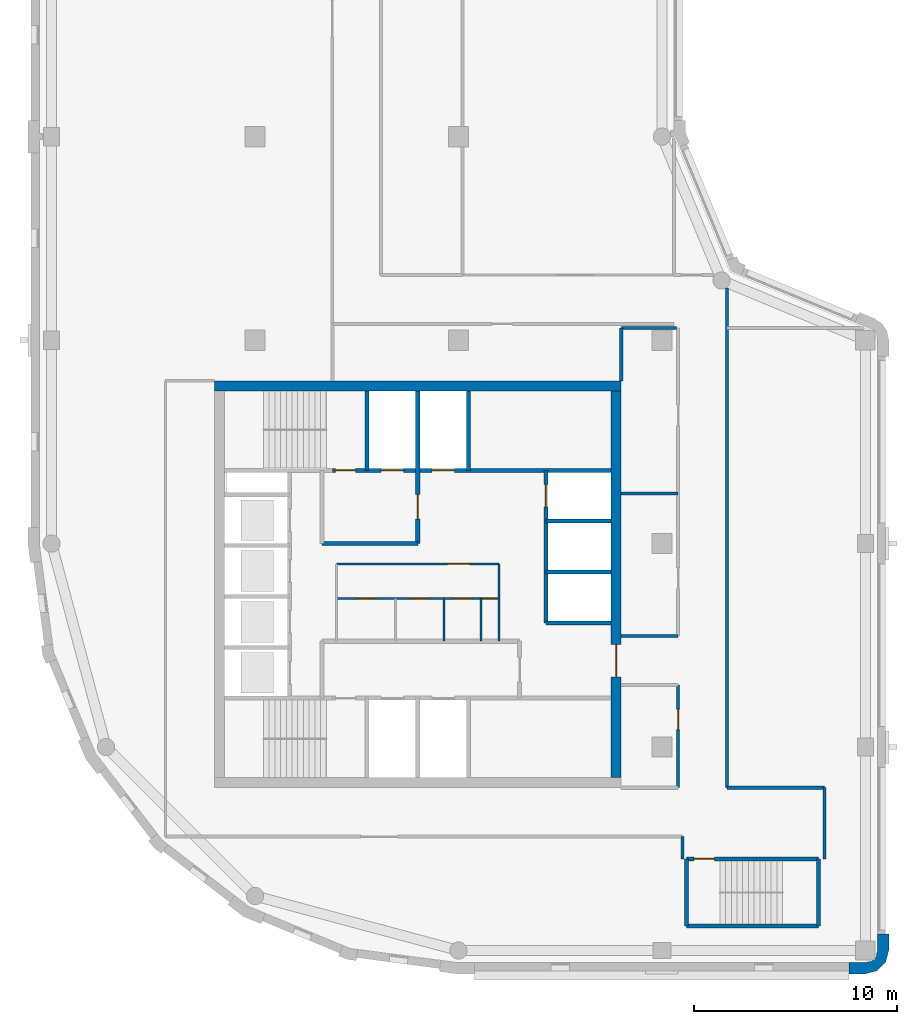
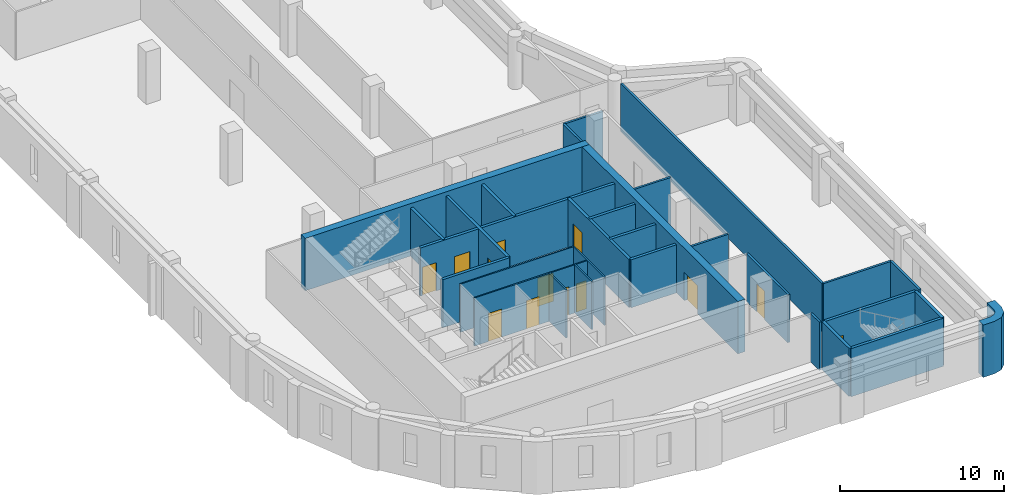
# One storey, part 3 of 8: 30 walls, 13 doors, 13 openings.
"""IFC4 building model written with IfcOpenShell, lengths in metres."""

from ifc_helpers import new_model, si_unit, direction, frame, frame_2d, origin, place, context, subcontext, project, spatial, polyline, rectangle, outline, extrude, material, layer, layer_set, type_object, element, fill, save


model = new_model("IFC4")

# Units and contexts
model_context = context("Model", 3, precision=1e-05, world=origin(), true_north=direction((0.0, 1.0)))
body_context = subcontext(model_context, "Body", "Model", "MODEL_VIEW")
ifc_project = project(units=[si_unit("LENGTHUNIT", "METRE"), si_unit("AREAUNIT", "SQUARE_METRE"), si_unit("VOLUMEUNIT", "CUBIC_METRE"), si_unit("PLANEANGLEUNIT", "RADIAN"), si_unit("MASSUNIT", "GRAM", prefix="KILO")], contexts=[model_context])

# Site, building, storey
site_placement = place(None, origin())
site = spatial("IfcSite", under=ifc_project, at=site_placement, CompositionType="ELEMENT")
building_placement = place(site_placement, origin())
building = spatial("IfcBuilding", under=site, at=building_placement, Name="Qaws Garden Tower", CompositionType="ELEMENT")
storey_placement = place(building_placement, frame((0.0, 0.0, 337.199951171875)))
storey = spatial("IfcBuildingStorey", under=building, at=storey_placement, Name="L82", CompositionType="ELEMENT", Elevation=337.199951171875)

# Wall
ifc_material_1 = material(Name="Clay facing brick masonry", Category="masonry")
ifc_layer_1 = layer(ifc_material_1, 0.550048828125)
ifc_layer_set_1 = layer_set([ifc_layer_1], Name="Clay facing brick masonry")
wall_type_1 = type_object("IfcWallType", Name="Brick corner pier 550 x 2400", PredefinedType="SOLIDWALL", material=ifc_layer_set_1)
wall_1_placement = place(storey_placement, origin())
element("IfcWall", 1, at=wall_1_placement, inside=storey, type_object=wall_type_1, Name="E-L82-pier-02", PredefinedType="SOLIDWALL", context=body_context, shape_type="SweptSolid", body=[
    extrude(outline(polyline([(39.199951171875, -1.0), (39.199951171875, -1.14990234375), (40.0, -1.14990234375), (40.574951171875, -0.995849609375), (40.995849609375, -0.574951171875), (41.14990234375, 0.0), (41.14990234375, 0.800048828125), (41.0, 0.800048828125), (40.60009765625, 0.800048828125), (40.60009765625, 0.0), (40.51953125, -0.300048828125), (40.300048828125, -0.51953125), (40.0, -0.60009765625), (39.199951171875, -0.60009765625), (39.199951171875, -1.0)])), origin(), (0.0, 0.0, 1.0), 3.900146484375),
])

# Wall, openings, doors
ifc_material_2 = material(Name="Plasterboard")
ifc_layer_2 = layer(ifc_material_2, 0.10009765625)
ifc_layer_set_2 = layer_set([ifc_layer_2], Name="Plasterboard")
wall_type_2 = type_object("IfcWallType", Name="Core partition 100", PredefinedType="PARTITIONING", material=ifc_layer_set_2)
wall_2_placement = place(storey_placement, frame((14.0, 17.300048828125, 0.0), z_axis=(0.0, 0.0, 1.0), x_axis=(1.0, 0.0, 0.0)))
wall_2 = element("IfcWall", 2, at=wall_2_placement, inside=storey, type_object=wall_type_2, Name="Core partition", PredefinedType="PARTITIONING", context=body_context, shape_type="SweptSolid", body=[
    extrude(rectangle(XDim=8.0, YDim=0.10009765625, at=frame_2d((4.0, 0.0))), origin(), (0.0, 0.0, 1.0), 3.580078125),
])
opening_1_placement = place(wall_2_placement, frame((1.0, 0.0, 0.0)))
opening_1 = element("IfcOpeningElement", 3, at=opening_1_placement, cuts=wall_2, Name="Opening WD18", PredefinedType="OPENING", context=body_context, shape_type="SweptSolid", body=[
    extrude(rectangle(XDim=0.89990234375, YDim=2.10009765625, at=frame_2d((0.449951171875, 1.050048828125))), frame((0.0, 0.06005859375, 0.0), z_axis=(0.0, -1.0, 0.0), x_axis=(1.0, 0.0, 0.0)), (0.0, 0.0, 1.0), 0.1201171875),
])
opening_2_placement = place(wall_2_placement, frame((3.64990234375, 0.0, 0.0)))
opening_2 = element("IfcOpeningElement", 4, at=opening_2_placement, cuts=wall_2, Name="Opening WD19", PredefinedType="OPENING", context=body_context, shape_type="SweptSolid", body=[
    extrude(rectangle(XDim=0.89990234375, YDim=2.10009765625, at=frame_2d((0.449951171875, 1.050048828125))), frame((0.0, 0.06005859375, 0.0), z_axis=(0.0, -1.0, 0.0), x_axis=(1.0, 0.0, 0.0)), (0.0, 0.0, 1.0), 0.1201171875),
])
opening_3_placement = place(wall_2_placement, frame((5.75, 0.0, 0.0)))
opening_3 = element("IfcOpeningElement", 5, at=opening_3_placement, cuts=wall_2, Name="Opening WD20", PredefinedType="OPENING", context=body_context, shape_type="SweptSolid", body=[
    extrude(rectangle(XDim=0.89990234375, YDim=2.10009765625, at=frame_2d((0.449951171875, 1.050048828125))), frame((0.0, 0.06005859375, 0.0), z_axis=(0.0, -1.0, 0.0), x_axis=(1.0, 0.0, 0.0)), (0.0, 0.0, 1.0), 0.1201171875),
])
opening_4_placement = place(wall_2_placement, frame((7.199951171875, 0.0, 0.0)))
opening_4 = element("IfcOpeningElement", 6, at=opening_4_placement, cuts=wall_2, Name="Opening XD21", PredefinedType="OPENING", context=body_context, shape_type="SweptSolid", body=[
    extrude(rectangle(XDim=0.699951171875, YDim=2.10009765625, at=frame_2d((0.35009765625, 1.050048828125))), frame((0.0, 0.06005859375, 0.0), z_axis=(0.0, -1.0, 0.0), x_axis=(1.0, 0.0, 0.0)), (0.0, 0.0, 1.0), 0.1201171875),
])
ifc_material_3 = material(Name="Timber", Category="wood")
door_type_1 = type_object("IfcDoorType", Name="Store door 700x2100", OperationType="SINGLE_SWING_LEFT", PredefinedType="DOOR", material=ifc_material_3)
door_1_placement = place(opening_4_placement, frame((0.699951171875, 0.0, 0.0), z_axis=(0.0, 0.0, 1.0), x_axis=(-1.0, 0.0, 0.0)))
door_1 = element("IfcDoor", 7, at=door_1_placement, inside=storey, type_object=door_type_1, Name="Cleaner's store door", OperationType="SINGLE_SWING_LEFT", OverallHeight=2.10009765625, OverallWidth=0.699951171875, PredefinedType="DOOR", context=body_context, shape_type="SweptSolid", body=[
    extrude(rectangle(XDim=0.699951171875, YDim=2.10009765625, at=frame_2d((0.35009765625, 1.050048828125))), frame((0.0, 0.02490234375, 0.0), z_axis=(0.0, -1.0, 0.0), x_axis=(1.0, 0.0, 0.0)), (0.0, 0.0, 1.0), 0.050048828125),
])
fill(opening_4, door_1)
ifc_material_4 = material(Name="Timber", Category="wood")
door_type_2 = type_object("IfcDoorType", Name="WC door 900x2100", OperationType="SINGLE_SWING_LEFT", PredefinedType="DOOR", material=ifc_material_4)
door_2_placement = place(opening_1_placement, frame((0.89990234375, 0.0, 0.0), z_axis=(0.0, 0.0, 1.0), x_axis=(-1.0, 0.0, 0.0)))
door_2 = element("IfcDoor", 8, at=door_2_placement, inside=storey, type_object=door_type_2, Name="Women's WC door", OperationType="SINGLE_SWING_LEFT", OverallHeight=2.10009765625, OverallWidth=0.89990234375, PredefinedType="DOOR", context=body_context, shape_type="SweptSolid", body=[
    extrude(rectangle(XDim=0.89990234375, YDim=2.10009765625, at=frame_2d((0.449951171875, 1.050048828125))), frame((0.0, 0.02490234375, 0.0), z_axis=(0.0, -1.0, 0.0), x_axis=(1.0, 0.0, 0.0)), (0.0, 0.0, 1.0), 0.050048828125),
])
fill(opening_1, door_2)
door_3_placement = place(opening_2_placement, frame((0.89990234375, 0.0, 0.0), z_axis=(0.0, 0.0, 1.0), x_axis=(-1.0, 0.0, 0.0)))
door_3 = element("IfcDoor", 9, at=door_3_placement, inside=storey, type_object=door_type_2, Name="Men's WC door", OperationType="SINGLE_SWING_LEFT", OverallHeight=2.10009765625, OverallWidth=0.89990234375, PredefinedType="DOOR", context=body_context, shape_type="SweptSolid", body=[
    extrude(rectangle(XDim=0.89990234375, YDim=2.10009765625, at=frame_2d((0.449951171875, 1.050048828125))), frame((0.0, 0.02490234375, 0.0), z_axis=(0.0, -1.0, 0.0), x_axis=(1.0, 0.0, 0.0)), (0.0, 0.0, 1.0), 0.050048828125),
])
fill(opening_2, door_3)
door_4_placement = place(opening_3_placement, frame((0.89990234375, 0.0, 0.0), z_axis=(0.0, 0.0, 1.0), x_axis=(-1.0, 0.0, 0.0)))
door_4 = element("IfcDoor", 10, at=door_4_placement, inside=storey, type_object=door_type_2, Name="Accessible WC door", OperationType="SINGLE_SWING_LEFT", OverallHeight=2.10009765625, OverallWidth=0.89990234375, PredefinedType="DOOR", context=body_context, shape_type="SweptSolid", body=[
    extrude(rectangle(XDim=0.89990234375, YDim=2.10009765625, at=frame_2d((0.449951171875, 1.050048828125))), frame((0.0, 0.02490234375, 0.0), z_axis=(0.0, -1.0, 0.0), x_axis=(1.0, 0.0, 0.0)), (0.0, 0.0, 1.0), 0.050048828125),
])
fill(opening_3, door_4)

# Wall, opening, door
wall_3_placement = place(storey_placement, frame((14.0, 19.0, 0.0), z_axis=(0.0, 0.0, 1.0), x_axis=(1.0, 0.0, 0.0)))
wall_3 = element("IfcWall", 11, at=wall_3_placement, inside=storey, type_object=wall_type_2, Name="Core partition", PredefinedType="PARTITIONING", context=body_context, shape_type="SweptSolid", body=[
    extrude(rectangle(XDim=8.0, YDim=0.10009765625, at=frame_2d((4.0, 0.0))), origin(), (0.0, 0.0, 1.0), 3.580078125),
])
opening_5_placement = place(wall_3_placement, frame((5.449951171875, 0.0, 0.0)))
opening_5 = element("IfcOpeningElement", 12, at=opening_5_placement, cuts=wall_3, Name="Opening WL17", PredefinedType="OPENING", context=body_context, shape_type="SweptSolid", body=[
    extrude(rectangle(XDim=1.10009765625, YDim=2.10009765625, at=frame_2d((0.550048828125, 1.050048828125))), frame((0.0, 0.06005859375, 0.0), z_axis=(0.0, -1.0, 0.0), x_axis=(1.0, 0.0, 0.0)), (0.0, 0.0, 1.0), 0.1201171875),
])
ifc_material_5 = material(Name="Timber", Category="wood")
door_type_3 = type_object("IfcDoorType", Name="WC lobby door 1100x2100", OperationType="SINGLE_SWING_LEFT", PredefinedType="DOOR", material=ifc_material_5)
door_5_placement = place(opening_5_placement, frame((1.10009765625, 0.0, 0.0), z_axis=(0.0, 0.0, 1.0), x_axis=(-1.0, 0.0, 0.0)))
door_5 = element("IfcDoor", 13, at=door_5_placement, inside=storey, type_object=door_type_3, Name="WC lobby door", OperationType="SINGLE_SWING_LEFT", OverallHeight=2.10009765625, OverallWidth=1.10009765625, PredefinedType="DOOR", context=body_context, shape_type="SweptSolid", body=[
    extrude(rectangle(XDim=1.10009765625, YDim=2.10009765625, at=frame_2d((0.550048828125, 1.050048828125))), frame((0.0, 0.02490234375, 0.0), z_axis=(0.0, -1.0, 0.0), x_axis=(1.0, 0.0, 0.0)), (0.0, 0.0, 1.0), 0.050048828125),
])
fill(opening_5, door_5)

# Walls
for number, where, z_axis, x_axis, name in (
    (14, (19.300048828125, 15.199951171875, 0.0), (0.0, 0.0, 1.0), (0.0, 1.0, 0.0), "Core partition"),
    (15, (21.10009765625, 15.199951171875, 0.0), (0.0, 0.0, 1.0), (0.0, 1.0, 0.0), "Core partition"),
):
    element("IfcWall", number, at=place(storey_placement, frame(where, z_axis=z_axis, x_axis=x_axis)), inside=storey, type_object=wall_type_2, Name=name, PredefinedType="PARTITIONING", context=body_context, shape_type="SweptSolid", body=[
        extrude(rectangle(XDim=2.10009765625, YDim=0.10009765625, at=frame_2d((1.050048828125, 0.0))), origin(), (0.0, 0.0, 1.0), 3.580078125),
    ])
wall_4_placement = place(storey_placement, frame((22.0, 15.199951171875, 0.0), z_axis=(0.0, 0.0, 1.0), x_axis=(0.0, 1.0, 0.0)))
element("IfcWall", 16, at=wall_4_placement, inside=storey, type_object=wall_type_2, Name="Core partition", PredefinedType="PARTITIONING", context=body_context, shape_type="SweptSolid", body=[
    extrude(rectangle(XDim=3.800048828125, YDim=0.10009765625, at=frame_2d((1.89990234375, 0.0))), origin(), (0.0, 0.0, 1.0), 3.580078125),
])
ifc_material_6 = material(Name="Concrete C60", Category="concrete")
ifc_layer_3 = layer(ifc_material_6, 0.199951171875)
ifc_layer_set_3 = layer_set([ifc_layer_3], Name="Concrete C60")
wall_type_3 = type_object("IfcWallType", Name="Core shaft wall 200 C60", PredefinedType="SHEAR", material=ifc_layer_set_3)
wall_5_placement = place(storey_placement, frame((31.199951171875, 1.199951171875, 0.0), z_axis=(0.0, 0.0, 1.0), x_axis=(1.0, 0.0, 0.0)))
element("IfcWall", 17, at=wall_5_placement, inside=storey, type_object=wall_type_3, Name="Shaft wall", PredefinedType="SHEAR", context=body_context, shape_type="SweptSolid", body=[
    extrude(rectangle(XDim=6.5, YDim=0.199951171875, at=frame_2d((3.25, 0.0))), origin(), (0.0, 0.0, 1.0), 3.580078125),
])

# Wall, opening, door
wall_6_placement = place(storey_placement, frame((31.199951171875, 4.5, 0.0), z_axis=(0.0, 0.0, 1.0), x_axis=(1.0, 0.0, 0.0)))
wall_6 = element("IfcWall", 18, at=wall_6_placement, inside=storey, type_object=wall_type_3, Name="Shaft wall", PredefinedType="SHEAR", context=body_context, shape_type="SweptSolid", body=[
    extrude(rectangle(XDim=6.5, YDim=0.199951171875, at=frame_2d((3.25, 0.0))), origin(), (0.0, 0.0, 1.0), 3.580078125),
])
opening_6_placement = place(wall_6_placement, frame((0.375, 0.0, 0.0)))
opening_6 = element("IfcOpeningElement", 19, at=opening_6_placement, cuts=wall_6, Name="Opening SD12", PredefinedType="OPENING", context=body_context, shape_type="SweptSolid", body=[
    extrude(rectangle(XDim=1.0, YDim=2.10009765625, at=frame_2d((0.5, 1.050048828125))), frame((0.0, 0.10986328125, 0.0), z_axis=(0.0, -1.0, 0.0), x_axis=(1.0, 0.0, 0.0)), (0.0, 0.0, 1.0), 0.219970703125),
])
ifc_material_7 = material(Name="Steel S235", Category="steel")
door_type_4 = type_object("IfcDoorType", Name="Stair door 1000x2100", OperationType="SINGLE_SWING_RIGHT", PredefinedType="DOOR", material=ifc_material_7)
door_6_placement = place(opening_6_placement, frame((1.0, 0.0, 0.0), z_axis=(0.0, 0.0, 1.0), x_axis=(-1.0, 0.0, 0.0)))
door_6 = element("IfcDoor", 20, at=door_6_placement, inside=storey, type_object=door_type_4, Name="Stair 5 door", OperationType="SINGLE_SWING_RIGHT", OverallHeight=2.10009765625, OverallWidth=1.0, PredefinedType="DOOR", context=body_context, shape_type="SweptSolid", body=[
    extrude(rectangle(XDim=1.0, YDim=2.10009765625, at=frame_2d((0.5, 1.050048828125))), frame((0.0, 0.02490234375, 0.0), z_axis=(0.0, -1.0, 0.0), x_axis=(1.0, 0.0, 0.0)), (0.0, 0.0, 1.0), 0.050048828125),
])
fill(opening_6, door_6)

# Walls
for number, where, z_axis, x_axis, name in (
    (21, (24.300048828125, 16.10009765625, 0.0), (0.0, 0.0, 1.0), (1.0, 0.0, 0.0), "Shaft wall"),
    (22, (24.300048828125, 18.60009765625, 0.0), (0.0, 0.0, 1.0), (1.0, 0.0, 0.0), "Shaft wall"),
):
    element("IfcWall", number, at=place(storey_placement, frame(where, z_axis=z_axis, x_axis=x_axis)), inside=storey, type_object=wall_type_3, Name=name, PredefinedType="SHEAR", context=body_context, shape_type="SweptSolid", body=[
        extrude(rectangle(XDim=3.199951171875, YDim=0.199951171875, at=frame_2d((1.60009765625, 0.0))), origin(), (0.0, 0.0, 1.0), 3.580078125),
    ])
wall_7_placement = place(storey_placement, frame((13.300048828125, 20.0, 0.0), z_axis=(0.0, 0.0, 1.0), x_axis=(1.0, 0.0, 0.0)))
element("IfcWall", 23, at=wall_7_placement, inside=storey, type_object=wall_type_3, Name="Shaft wall", PredefinedType="SHEAR", context=body_context, shape_type="SweptSolid", body=[
    extrude(rectangle(XDim=4.699951171875, YDim=0.199951171875, at=frame_2d((2.35009765625, 0.0))), origin(), (0.0, 0.0, 1.0), 3.580078125),
])
wall_8_placement = place(storey_placement, frame((24.300048828125, 21.10009765625, 0.0), z_axis=(0.0, 0.0, 1.0), x_axis=(1.0, 0.0, 0.0)))
element("IfcWall", 24, at=wall_8_placement, inside=storey, type_object=wall_type_3, Name="Shaft wall", PredefinedType="SHEAR", context=body_context, shape_type="SweptSolid", body=[
    extrude(rectangle(XDim=3.199951171875, YDim=0.199951171875, at=frame_2d((1.60009765625, 0.0))), origin(), (0.0, 0.0, 1.0), 3.580078125),
])

# Wall, openings, doors
wall_9_placement = place(storey_placement, frame((13.800048828125, 23.60009765625, 0.0), z_axis=(0.0, 0.0, 1.0), x_axis=(1.0, 0.0, 0.0)))
wall_9 = element("IfcWall", 25, at=wall_9_placement, inside=storey, type_object=wall_type_3, Name="Shaft wall", PredefinedType="SHEAR", context=body_context, shape_type="SweptSolid", body=[
    extrude(rectangle(XDim=13.699951171875, YDim=0.199951171875, at=frame_2d((6.85009765625, 0.0))), origin(), (0.0, 0.0, 1.0), 3.580078125),
])
opening_7_placement = place(wall_9_placement, frame((2.39990234375, 0.0, 0.0)))
opening_7 = element("IfcOpeningElement", 26, at=opening_7_placement, cuts=wall_9, Name="Opening LD08", PredefinedType="OPENING", context=body_context, shape_type="SweptSolid", body=[
    extrude(rectangle(XDim=1.10009765625, YDim=2.10009765625, at=frame_2d((0.550048828125, 1.050048828125))), frame((0.0, 0.10986328125, 0.0), z_axis=(0.0, -1.0, 0.0), x_axis=(1.0, 0.0, 0.0)), (0.0, 0.0, 1.0), 0.219970703125),
])
opening_8_placement = place(wall_9_placement, frame((4.89990234375, 0.0, 0.0)))
opening_8 = element("IfcOpeningElement", 27, at=opening_8_placement, cuts=wall_9, Name="Opening LD09", PredefinedType="OPENING", context=body_context, shape_type="SweptSolid", body=[
    extrude(rectangle(XDim=1.10009765625, YDim=2.10009765625, at=frame_2d((0.550048828125, 1.050048828125))), frame((0.0, 0.10986328125, 0.0), z_axis=(0.0, -1.0, 0.0), x_axis=(1.0, 0.0, 0.0)), (0.0, 0.0, 1.0), 0.219970703125),
])
opening_9_placement = place(wall_9_placement, frame((0.14990234375, 0.0, 0.0)))
opening_9 = element("IfcOpeningElement", 28, at=opening_9_placement, cuts=wall_9, Name="Opening SD11", PredefinedType="OPENING", context=body_context, shape_type="SweptSolid", body=[
    extrude(rectangle(XDim=1.0, YDim=2.10009765625, at=frame_2d((0.5, 1.050048828125))), frame((0.0, 0.10986328125, 0.0), z_axis=(0.0, -1.0, 0.0), x_axis=(1.0, 0.0, 0.0)), (0.0, 0.0, 1.0), 0.219970703125),
])
ifc_material_8 = material(Name="Steel S235", Category="steel")
door_type_5 = type_object("IfcDoorType", Name="Landing door 1100x2100", OperationType="DOUBLE_DOOR_SLIDING", PredefinedType="DOOR", material=ifc_material_8)
door_7_placement = place(opening_7_placement, origin())
door_7 = element("IfcDoor", 29, at=door_7_placement, inside=storey, type_object=door_type_5, Name="Lift FF3 landing door", OperationType="DOUBLE_DOOR_SLIDING", OverallHeight=2.10009765625, OverallWidth=1.10009765625, PredefinedType="DOOR", context=body_context, shape_type="SweptSolid", body=[
    extrude(rectangle(XDim=1.10009765625, YDim=2.10009765625, at=frame_2d((0.550048828125, 1.050048828125))), frame((0.0, 0.02490234375, 0.0), z_axis=(0.0, -1.0, 0.0), x_axis=(1.0, 0.0, 0.0)), (0.0, 0.0, 1.0), 0.050048828125),
])
fill(opening_7, door_7)
door_8_placement = place(opening_8_placement, origin())
door_8 = element("IfcDoor", 30, at=door_8_placement, inside=storey, type_object=door_type_5, Name="Lift SV2 landing door", OperationType="DOUBLE_DOOR_SLIDING", OverallHeight=2.10009765625, OverallWidth=1.10009765625, PredefinedType="DOOR", context=body_context, shape_type="SweptSolid", body=[
    extrude(rectangle(XDim=1.10009765625, YDim=2.10009765625, at=frame_2d((0.550048828125, 1.050048828125))), frame((0.0, 0.02490234375, 0.0), z_axis=(0.0, -1.0, 0.0), x_axis=(1.0, 0.0, 0.0)), (0.0, 0.0, 1.0), 0.050048828125),
])
fill(opening_8, door_8)
door_9_placement = place(opening_9_placement, origin())
door_9 = element("IfcDoor", 31, at=door_9_placement, inside=storey, type_object=door_type_4, Name="Stair 4 door", OperationType="SINGLE_SWING_RIGHT", OverallHeight=2.10009765625, OverallWidth=1.0, PredefinedType="DOOR", context=body_context, shape_type="SweptSolid", body=[
    extrude(rectangle(XDim=1.0, YDim=2.10009765625, at=frame_2d((0.5, 1.050048828125))), frame((0.0, 0.02490234375, 0.0), z_axis=(0.0, -1.0, 0.0), x_axis=(1.0, 0.0, 0.0)), (0.0, 0.0, 1.0), 0.050048828125),
])
fill(opening_9, door_9)

# Wall
wall_10_placement = place(storey_placement, frame((15.5, 23.60009765625, 0.0), z_axis=(0.0, 0.0, 1.0), x_axis=(0.0, 1.0, 0.0)))
element("IfcWall", 32, at=wall_10_placement, inside=storey, type_object=wall_type_3, Name="Shaft wall", PredefinedType="SHEAR", context=body_context, shape_type="SweptSolid", body=[
    extrude(rectangle(XDim=3.89990234375, YDim=0.199951171875, at=frame_2d((1.949951171875, 0.0))), origin(), (0.0, 0.0, 1.0), 3.580078125),
])

# Wall, opening, door
wall_11_placement = place(storey_placement, frame((18.0, 20.0, 0.0), z_axis=(0.0, 0.0, 1.0), x_axis=(0.0, 1.0, 0.0)))
wall_11 = element("IfcWall", 33, at=wall_11_placement, inside=storey, type_object=wall_type_3, Name="Shaft wall", PredefinedType="SHEAR", context=body_context, shape_type="SweptSolid", body=[
    extrude(rectangle(XDim=7.5, YDim=0.199951171875, at=frame_2d((3.75, 0.0))), origin(), (0.0, 0.0, 1.0), 3.580078125),
])
opening_10_placement = place(wall_11_placement, frame((1.199951171875, 0.0, 0.0)))
opening_10 = element("IfcOpeningElement", 34, at=opening_10_placement, cuts=wall_11, Name="Opening FD16", PredefinedType="OPENING", context=body_context, shape_type="SweptSolid", body=[
    extrude(rectangle(XDim=1.199951171875, YDim=2.10009765625, at=frame_2d((0.60009765625, 1.050048828125))), frame((0.0, 0.10986328125, 0.0), z_axis=(0.0, -1.0, 0.0), x_axis=(1.0, 0.0, 0.0)), (0.0, 0.0, 1.0), 0.219970703125),
])
ifc_material_9 = material(Name="Steel S235", Category="steel")
door_type_6 = type_object("IfcDoorType", Name="Lobby door 1200x2100", OperationType="DOUBLE_DOOR_SINGLE_SWING", PredefinedType="DOOR", material=ifc_material_9)
door_10_placement = place(opening_10_placement, origin())
door_10 = element("IfcDoor", 35, at=door_10_placement, inside=storey, type_object=door_type_6, Name="Fire-fighting lobby door", OperationType="DOUBLE_DOOR_SINGLE_SWING", OverallHeight=2.10009765625, OverallWidth=1.199951171875, PredefinedType="DOOR", context=body_context, shape_type="SweptSolid", body=[
    extrude(rectangle(XDim=1.199951171875, YDim=2.10009765625, at=frame_2d((0.60009765625, 1.050048828125))), frame((0.0, 0.02490234375, 0.0), z_axis=(0.0, -1.0, 0.0), x_axis=(1.0, 0.0, 0.0)), (0.0, 0.0, 1.0), 0.050048828125),
])
fill(opening_10, door_10)

# Wall
wall_12_placement = place(storey_placement, frame((20.5, 23.60009765625, 0.0), z_axis=(0.0, 0.0, 1.0), x_axis=(0.0, 1.0, 0.0)))
element("IfcWall", 36, at=wall_12_placement, inside=storey, type_object=wall_type_3, Name="Shaft wall", PredefinedType="SHEAR", context=body_context, shape_type="SweptSolid", body=[
    extrude(rectangle(XDim=3.89990234375, YDim=0.199951171875, at=frame_2d((1.949951171875, 0.0))), origin(), (0.0, 0.0, 1.0), 3.580078125),
])

# Wall, opening, door
wall_13_placement = place(storey_placement, frame((24.300048828125, 16.10009765625, 0.0), z_axis=(0.0, 0.0, 1.0), x_axis=(0.0, 1.0, 0.0)))
wall_13 = element("IfcWall", 37, at=wall_13_placement, inside=storey, type_object=wall_type_3, Name="Shaft wall", PredefinedType="SHEAR", context=body_context, shape_type="SweptSolid", body=[
    extrude(rectangle(XDim=7.5, YDim=0.199951171875, at=frame_2d((3.75, 0.0))), origin(), (0.0, 0.0, 1.0), 3.580078125),
])
opening_11_placement = place(wall_13_placement, frame((5.699951171875, 0.0, 0.0)))
opening_11 = element("IfcOpeningElement", 38, at=opening_11_placement, cuts=wall_13, Name="Opening LD05", PredefinedType="OPENING", context=body_context, shape_type="SweptSolid", body=[
    extrude(rectangle(XDim=1.10009765625, YDim=2.10009765625, at=frame_2d((0.550048828125, 1.050048828125))), frame((0.0, 0.10986328125, 0.0), z_axis=(0.0, -1.0, 0.0), x_axis=(1.0, 0.0, 0.0)), (0.0, 0.0, 1.0), 0.219970703125),
])
door_11_placement = place(opening_11_placement, origin())
door_11 = element("IfcDoor", 39, at=door_11_placement, inside=storey, type_object=door_type_5, Name="Lift E3 landing door", OperationType="DOUBLE_DOOR_SLIDING", OverallHeight=2.10009765625, OverallWidth=1.10009765625, PredefinedType="DOOR", context=body_context, shape_type="SweptSolid", body=[
    extrude(rectangle(XDim=1.10009765625, YDim=2.10009765625, at=frame_2d((0.550048828125, 1.050048828125))), frame((0.0, 0.02490234375, 0.0), z_axis=(0.0, -1.0, 0.0), x_axis=(1.0, 0.0, 0.0)), (0.0, 0.0, 1.0), 0.050048828125),
])
fill(opening_11, door_11)

# Walls
for number, where, z_axis, x_axis, name in (
    (40, (31.199951171875, 1.199951171875, 0.0), (0.0, 0.0, 1.0), (0.0, 1.0, 0.0), "Shaft wall"),
    (41, (37.699951171875, 1.199951171875, 0.0), (0.0, 0.0, 1.0), (0.0, 1.0, 0.0), "Shaft wall"),
):
    element("IfcWall", number, at=place(storey_placement, frame(where, z_axis=z_axis, x_axis=x_axis)), inside=storey, type_object=wall_type_3, Name=name, PredefinedType="SHEAR", context=body_context, shape_type="SweptSolid", body=[
        extrude(rectangle(XDim=3.300048828125, YDim=0.199951171875, at=frame_2d((1.64990234375, 0.0))), origin(), (0.0, 0.0, 1.0), 3.580078125),
    ])

# Wall, opening, door
ifc_material_10 = material(Name="Concrete C60", Category="concrete")
ifc_layer_4 = layer(ifc_material_10, 0.5)
ifc_layer_set_4 = layer_set([ifc_layer_4], Name="Concrete C60")
wall_type_4 = type_object("IfcWallType", Name="Core wall 500 C60", PredefinedType="SHEAR", material=ifc_layer_set_4)
wall_14_placement = place(storey_placement, frame((27.75, 8.5, 0.0), z_axis=(0.0, 0.0, 1.0), x_axis=(0.0, 1.0, 0.0)))
wall_14 = element("IfcWall", 42, at=wall_14_placement, inside=storey, type_object=wall_type_4, Name="Core wall L82 east", PredefinedType="SHEAR", context=body_context, shape_type="SweptSolid", body=[
    extrude(rectangle(XDim=19.0, YDim=0.5, at=frame_2d((9.5, 0.0))), origin(), (0.0, 0.0, 1.0), 3.900146484375),
])
opening_12_placement = place(wall_14_placement, frame((4.949951171875, 0.0, 0.0)))
opening_12 = element("IfcOpeningElement", 43, at=opening_12_placement, cuts=wall_14, Name="Opening ED22", PredefinedType="OPENING", context=body_context, shape_type="SweptSolid", body=[
    extrude(rectangle(XDim=1.60009765625, YDim=2.10009765625, at=frame_2d((0.800048828125, 1.050048828125))), frame((0.0, 0.260009765625, 0.0), z_axis=(0.0, -1.0, 0.0), x_axis=(1.0, 0.0, 0.0)), (0.0, 0.0, 1.0), 0.52001953125),
])
ifc_material_11 = material(Name="Steel S235", Category="steel")
door_type_7 = type_object("IfcDoorType", Name="Core entrance door 1600x2100", OperationType="DOUBLE_DOOR_SINGLE_SWING", PredefinedType="DOOR", material=ifc_material_11)
door_12_placement = place(opening_12_placement, origin())
door_12 = element("IfcDoor", 44, at=door_12_placement, inside=storey, type_object=door_type_7, Name="Core entrance door", OperationType="DOUBLE_DOOR_SINGLE_SWING", OverallHeight=2.10009765625, OverallWidth=1.60009765625, PredefinedType="DOOR", context=body_context, shape_type="SweptSolid", body=[
    extrude(rectangle(XDim=1.60009765625, YDim=2.10009765625, at=frame_2d((0.800048828125, 1.050048828125))), frame((0.0, 0.02490234375, 0.0), z_axis=(0.0, -1.0, 0.0), x_axis=(1.0, 0.0, 0.0)), (0.0, 0.0, 1.0), 0.050048828125),
])
fill(opening_12, door_12)

# Walls
wall_15_placement = place(storey_placement, frame((28.0, 27.75, 0.0), z_axis=(0.0, 0.0, 1.0), x_axis=(-1.0, 0.0, 0.0)))
element("IfcWall", 45, at=wall_15_placement, inside=storey, type_object=wall_type_4, Name="Core wall L82 north", PredefinedType="SHEAR", context=body_context, shape_type="SweptSolid", body=[
    extrude(rectangle(XDim=20.0, YDim=0.5, at=frame_2d((10.0, 0.0))), origin(), (0.0, 0.0, 1.0), 3.900146484375),
])
ifc_material_12 = material(Name="Gypsum board partition")
ifc_layer_5 = layer(ifc_material_12, 0.14990234375)
ifc_layer_set_5 = layer_set([ifc_layer_5], Name="Gypsum board partition")
wall_type_5 = type_object("IfcWallType", Name="PARTITION 150 EI 60", PredefinedType="PARTITIONING", material=ifc_layer_set_5)
wall_16_placement = place(storey_placement, frame((28.0, 28.0, 0.0), z_axis=(0.0, 0.0, 1.0), x_axis=(0.0, 1.0, 0.0)))
element("IfcWall", 46, at=wall_16_placement, inside=storey, type_object=wall_type_5, Name="O-L82-wall-008", PredefinedType="PARTITIONING", context=body_context, shape_type="SweptSolid", body=[
    extrude(rectangle(XDim=2.597900390625, YDim=0.14990234375, at=frame_2d((1.298828125, 0.0))), origin(), (0.0, 0.0, 1.0), 3.580078125),
])

# Wall, opening, door
wall_17_placement = place(storey_placement, frame((30.800048828125, 8.0, 0.0), z_axis=(0.0, 0.0, 1.0), x_axis=(0.0, 1.0, 0.0)))
wall_17 = element("IfcWall", 47, at=wall_17_placement, inside=storey, type_object=wall_type_5, Name="O-L82-wall-010", PredefinedType="PARTITIONING", context=body_context, shape_type="SweptSolid", body=[
    extrude(rectangle(XDim=5.050048828125, YDim=0.14990234375, at=frame_2d((2.52490234375, 0.0))), origin(), (0.0, 0.0, 1.0), 3.580078125),
])
opening_13_placement = place(wall_17_placement, frame((2.85009765625, 0.0, 0.0)))
opening_13 = element("IfcOpeningElement", 48, at=opening_13_placement, cuts=wall_17, Name="Opening C905", PredefinedType="OPENING", context=body_context, shape_type="SweptSolid", body=[
    extrude(rectangle(XDim=1.0, YDim=2.10009765625, at=frame_2d((0.5, 1.050048828125))), frame((0.0, 0.0849609375, 0.0), z_axis=(0.0, -1.0, 0.0), x_axis=(1.0, 0.0, 0.0)), (0.0, 0.0, 1.0), 0.169921875),
])
ifc_material_13 = material(Name="Timber door leaf", Category="wood")
door_type_8 = type_object("IfcDoorType", Name="TENANCY ENTRANCE DOOR 1000 X 2100", OperationType="SINGLE_SWING_LEFT", PredefinedType="DOOR", material=ifc_material_13)
door_13_placement = place(opening_13_placement, origin())
door_13 = element("IfcDoor", 49, at=door_13_placement, inside=storey, type_object=door_type_8, Name="O-L82-door-005", OperationType="SINGLE_SWING_RIGHT", OverallHeight=2.10009765625, OverallWidth=1.0, PredefinedType="DOOR", context=body_context, shape_type="SweptSolid", body=[
    extrude(rectangle(XDim=1.0, YDim=2.10009765625, at=frame_2d((0.5, 1.050048828125))), frame((0.0, 0.02490234375, 0.0), z_axis=(0.0, -1.0, 0.0), x_axis=(1.0, 0.0, 0.0)), (0.0, 0.0, 1.0), 0.050048828125),
])
fill(opening_13, door_13)

# Walls
wall_18_placement = place(storey_placement, frame((31.0, 4.5, 0.0), z_axis=(0.0, 0.0, 1.0), x_axis=(0.0, 1.0, 0.0)))
element("IfcWall", 50, at=wall_18_placement, inside=storey, type_object=wall_type_5, Name="O-L82-wall-012", PredefinedType="PARTITIONING", context=body_context, shape_type="SweptSolid", body=[
    extrude(rectangle(XDim=1.10009765625, YDim=0.14990234375, at=frame_2d((0.550048828125, 0.0))), origin(), (0.0, 0.0, 1.0), 3.580078125),
])
wall_19_placement = place(storey_placement, frame((33.199951171875, 8.0, 0.0), z_axis=(0.0, 0.0, 1.0), x_axis=(0.0, 1.0, 0.0)))
element("IfcWall", 51, at=wall_19_placement, inside=storey, type_object=wall_type_5, Name="O-L82-wall-013", PredefinedType="PARTITIONING", context=body_context, shape_type="SweptSolid", body=[
    extrude(rectangle(XDim=24.552001953125, YDim=0.14990234375, at=frame_2d((12.27587890625, 0.0))), origin(), (0.0, 0.0, 1.0), 3.580078125),
])
wall_20_placement = place(storey_placement, frame((38.0, 4.5, 0.0), z_axis=(0.0, 0.0, 1.0), x_axis=(0.0, 1.0, 0.0)))
element("IfcWall", 52, at=wall_20_placement, inside=storey, type_object=wall_type_5, Name="O-L82-wall-014", PredefinedType="PARTITIONING", context=body_context, shape_type="SweptSolid", body=[
    extrude(rectangle(XDim=3.5, YDim=0.14990234375, at=frame_2d((1.75, 0.0))), origin(), (0.0, 0.0, 1.0), 3.580078125),
])
wall_21_placement = place(storey_placement, frame((33.199951171875, 8.0, 0.0), z_axis=(0.0, 0.0, 1.0), x_axis=(1.0, 0.0, 0.0)))
element("IfcWall", 53, at=wall_21_placement, inside=storey, type_object=wall_type_5, Name="O-L82-wall-017", PredefinedType="PARTITIONING", context=body_context, shape_type="SweptSolid", body=[
    extrude(rectangle(XDim=4.800048828125, YDim=0.14990234375, at=frame_2d((2.39990234375, 0.0))), origin(), (0.0, 0.0, 1.0), 3.580078125),
])
for number, where, z_axis, x_axis, name in (
    (54, (28.0, 15.449951171875, 0.0), (0.0, 0.0, 1.0), (1.0, 0.0, 0.0), "O-L82-wall-019"),
    (55, (28.0, 22.449951171875, 0.0), (0.0, 0.0, 1.0), (1.0, 0.0, 0.0), "O-L82-wall-020"),
):
    element("IfcWall", number, at=place(storey_placement, frame(where, z_axis=z_axis, x_axis=x_axis)), inside=storey, type_object=wall_type_5, Name=name, PredefinedType="PARTITIONING", context=body_context, shape_type="SweptSolid", body=[
        extrude(rectangle(XDim=2.800048828125, YDim=0.14990234375, at=frame_2d((1.39990234375, 0.0))), origin(), (0.0, 0.0, 1.0), 3.580078125),
    ])
wall_22_placement = place(storey_placement, frame((28.001953125, 30.60009765625, 0.0), z_axis=(0.0, 0.0, 1.0), x_axis=(1.0, 0.0, 0.0)))
element("IfcWall", 56, at=wall_22_placement, inside=storey, type_object=wall_type_5, Name="O-L82-wall-021", PredefinedType="PARTITIONING", context=body_context, shape_type="SweptSolid", body=[
    extrude(rectangle(XDim=2.72314453125, YDim=0.14990234375, at=frame_2d((1.361572265625, 0.0))), origin(), (0.0, 0.0, 1.0), 3.580078125),
])

save(model, "model.ifc")
